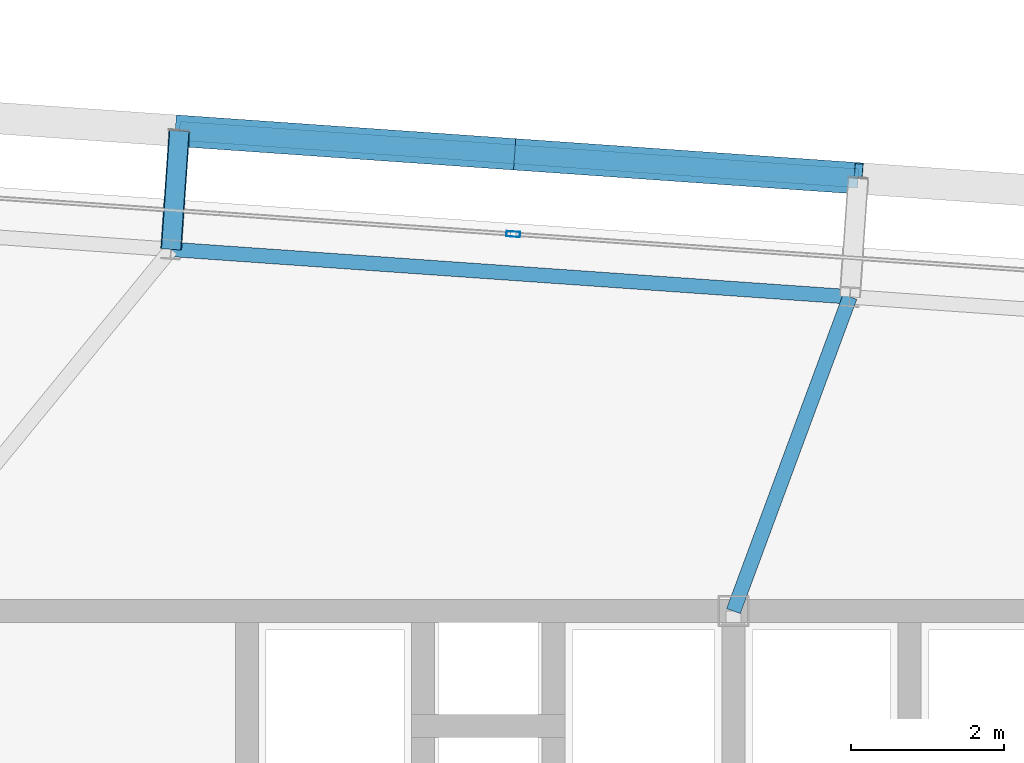
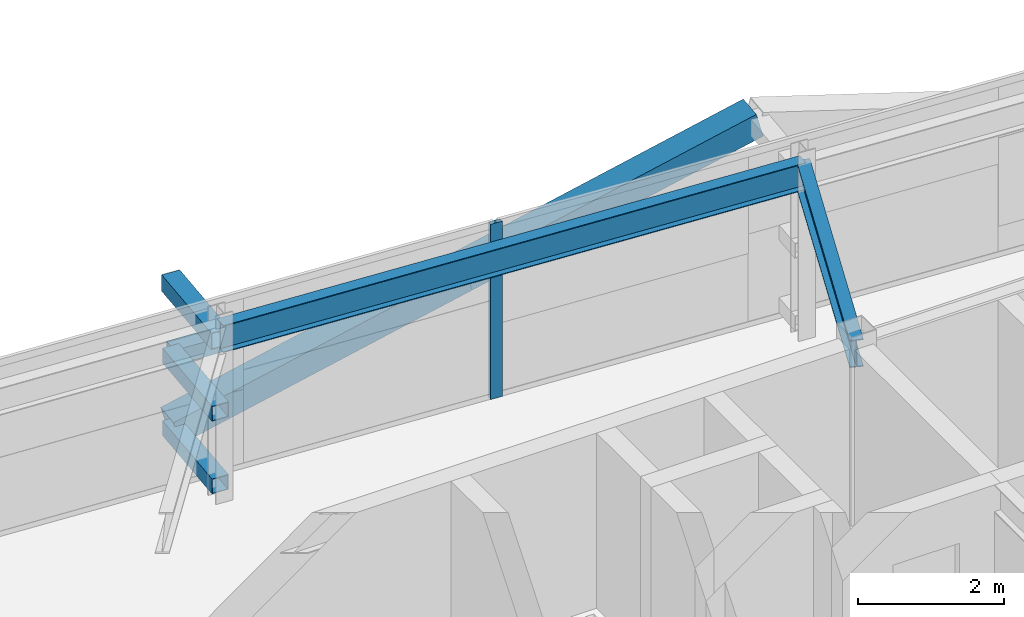
# One storey, part 22 of 39: 7 members, 2 beams, 1 element without a shape of its own.
"""IFC4 building model written with IfcOpenShell, lengths in metres."""

from ifc_helpers import new_model, si_unit, direction, frame, origin, origin_2d, place, context, subcontext, project, spatial, hollow_rectangle, i_section, extrude, source, transform, mapped, material, layer, layer_set, material_profile, profile_set, type_object, element, aggregate, save


model = new_model("IFC4")

# Units and contexts
model_context = context("Model", 3, precision=1e-05, world=origin(), true_north=direction((0.0, 1.0)))
body_context = subcontext(model_context, "Body", "Model", "MODEL_VIEW")
ifc_project = project(units=[si_unit("LENGTHUNIT", "METRE"), si_unit("AREAUNIT", "SQUARE_METRE"), si_unit("VOLUMEUNIT", "CUBIC_METRE"), si_unit("PLANEANGLEUNIT", "RADIAN"), si_unit("MASSUNIT", "GRAM", prefix="KILO")], contexts=[model_context])

# Site, building, storey
site_placement = place(None, origin())
site = spatial("IfcSite", under=ifc_project, at=site_placement, CompositionType="ELEMENT")
building_placement = place(site_placement, origin())
building = spatial("IfcBuilding", under=site, at=building_placement, Name="Taldren Reach Tower", CompositionType="ELEMENT")
storey_placement = place(building_placement, frame((0.0, 0.0, 126.699951171875)))
storey = spatial("IfcBuildingStorey", under=building, at=storey_placement, Name="L38", CompositionType="ELEMENT", Elevation=126.699951171875)

# Members
ifc_material_1 = material(Name="Steel Gr 450 (C450L0)", Category="steel")
ifc_material_profile_1 = material_profile(ifc_material_1, hollow_rectangle(XDim=0.27490234375, YDim=0.27490234375, WallThickness=0.00927734375, at=origin_2d()), Name="275x275x9.3SHS")
ifc_profile_set_1 = profile_set([ifc_material_profile_1], Name="Steel Gr 450 (C450L0)")
member_type_1 = type_object("IfcMemberType", Name="MB-TIE273", PredefinedType="STRUT", material=ifc_profile_set_1)
shared_shape_1 = source(origin(), body_context, "Body", "SweptSolid", [
    extrude(hollow_rectangle(XDim=0.27490234375, YDim=0.27490234375, WallThickness=0.00927734375, at=origin_2d()), origin(), (0.0, 0.0, 1.0), 1.5498046875),
])
member_1_placement = place(storey_placement, frame((31.861328125, 36.719970703125, 2.650146484375), z_axis=(0.069780535098, 0.997562367434, 0.0), x_axis=(-0.997562367434, 0.069780535098, 0.0)))
element("IfcMember", 1, at=member_1_placement, inside=storey, type_object=member_type_1, Name="Exoskeleton diaphragm tie strut B3-N3 L38", PredefinedType="STRUT", context=body_context, shape_type="MappedRepresentation", body=[
    mapped(shared_shape_1, transform((0.0, 0.0, 0.0), scale=1.0)),
])
ifc_material_2 = material(Name="Steel Gr 350 (C350L0)", Category="steel")
ifc_material_profile_2 = material_profile(ifc_material_2, hollow_rectangle(XDim=0.25, YDim=0.25, WallThickness=0.010009765625, at=origin_2d()), Name="250x250x10.0SHS")
ifc_profile_set_2 = profile_set([ifc_material_profile_2], Name="Steel Gr 350 (C350L0)")
member_type_2 = type_object("IfcMemberType", Name="MB-POST250", PredefinedType="POST", material=ifc_profile_set_2)
shared_shape_2 = source(origin(), body_context, "Body", "SweptSolid", [
    extrude(hollow_rectangle(XDim=0.25, YDim=0.25, WallThickness=0.010009765625, at=origin_2d()), origin(), (0.0, 0.0, 1.0), 1.5498046875),
])
for number, where, z_axis, x_axis, name in (
    (2, (31.861328125, 36.719970703125, 0.219970703125), (0.069780535098, 0.997562367434, 0.0), (-0.997562367434, 0.069780535098, 0.0), "Exoskeleton base diaphragm tie strut B3-N3 L38"),
    (3, (31.861328125, 36.719970703125, 1.43505859375), (0.069780535098, 0.997562367434, 0.0), (-0.997562367434, 0.069780535098, 0.0), "Exoskeleton mid-tier diaphragm tie B3-N3 L38"),
):
    element("IfcMember", number, at=place(storey_placement, frame(where, z_axis=z_axis, x_axis=x_axis)), inside=storey, type_object=member_type_2, Name=name, PredefinedType="POST", context=body_context, shape_type="MappedRepresentation", body=[
        mapped(shared_shape_2, transform((0.0, 0.0, 0.0), scale=1.0)),
    ])

# Beams
ifc_material_3 = material(Name="Steel Gr 350 (350PLUS)", Category="steel")
ifc_material_profile_3 = material_profile(ifc_material_3, i_section(OverallWidth=0.18994140625, OverallDepth=0.4541015625, WebThickness=0.008544921875, FlangeThickness=0.0126953125, at=origin_2d()), Name="460UB67.1")
ifc_profile_set_3 = profile_set([ifc_material_profile_3], Name="Steel Gr 350 (350PLUS)")
beam_type_1 = type_object("IfcBeamType", Name="SP-UB460B", PredefinedType="SPANDREL", material=ifc_profile_set_3)
shared_shape_3 = source(origin(), body_context, "Body", "SweptSolid", [
    extrude(i_section(OverallWidth=0.18994140625, OverallDepth=0.4541015625, WebThickness=0.008544921875, FlangeThickness=0.0126953125, at=origin_2d()), origin(), (0.0, 0.0, 1.0), 8.880126953125),
])
beam_1_placement = place(storey_placement, frame((40.7197265625, 36.100341796875, 2.703125), z_axis=(-0.997562566276, 0.06977769246, 0.0), x_axis=(-0.06977769246, -0.997562566276, 0.0)))
element("IfcBeam", 4, at=beam_1_placement, inside=storey, type_object=beam_type_1, Name="Perimeter spandrel B3 N4-N3 L38", PredefinedType="SPANDREL", context=body_context, shape_type="MappedRepresentation", body=[
    mapped(shared_shape_3, transform((0.0, 0.0, 0.0), scale=1.0)),
])
ifc_material_profile_4 = material_profile(ifc_material_3, i_section(OverallWidth=0.19091796875, OverallDepth=0.4599609375, WebThickness=0.010009765625, FlangeThickness=0.01611328125, at=origin_2d()), Name="460UB82.1")
ifc_profile_set_4 = profile_set([ifc_material_profile_4], Name="Steel Gr 350 (350PLUS)")
beam_type_2 = type_object("IfcBeamType", Name="BM-UB460A", PredefinedType="BEAM", material=ifc_profile_set_4)
shared_shape_4 = source(origin(), body_context, "Body", "SweptSolid", [
    extrude(i_section(OverallWidth=0.19091796875, OverallDepth=0.4599609375, WebThickness=0.010009765625, FlangeThickness=0.01611328125, at=origin_2d()), origin(), (0.0, 0.0, 1.0), 4.373046875),
])
beam_2_placement = place(storey_placement, frame((39.199951171875, 32.0, 2.699951171875), z_axis=(0.347541638975, 0.937664550454, 0.0), x_axis=(-0.937664550454, 0.347541638975, 0.0)))
element("IfcBeam", 5, at=beam_2_placement, inside=storey, type_object=beam_type_2, Name="Primary floor girder B3-N4 L38", PredefinedType="BEAM", context=body_context, shape_type="MappedRepresentation", body=[
    mapped(shared_shape_4, transform((0.0, 0.0, 0.0), scale=1.0)),
])

# Members
shared_shape_5 = source(origin(), body_context, "Body", "SweptSolid", [
    extrude(hollow_rectangle(XDim=0.25, YDim=0.25, WallThickness=0.010009765625, at=origin_2d()), origin(), (0.0, 0.0, 1.0), 8.880126953125),
])
member_2_placement = place(storey_placement, frame((31.969482421875, 38.26611328125, 1.43505859375), z_axis=(0.997564479639, -0.069750333063, 0.0), x_axis=(0.069750333063, 0.997564479639, 0.0)))
element("IfcMember", 6, at=member_2_placement, inside=storey, type_object=member_type_2, Name="Exoskeleton mid-height ring chord B3-N3 L38", PredefinedType="POST", context=body_context, shape_type="MappedRepresentation", body=[
    mapped(shared_shape_5, transform((0.0, 0.0, 0.0), scale=1.0)),
])
ifc_material_profile_5 = material_profile(ifc_material_1, hollow_rectangle(XDim=0.409912109375, YDim=0.409912109375, WallThickness=0.01611328125, at=origin_2d()), Name="410x410x16.0SHS")
ifc_profile_set_5 = profile_set([ifc_material_profile_5], Name="Steel Gr 450 (C450L0)")
member_type_3 = type_object("IfcMemberType", Name="MB-EXO406", PredefinedType="BRACE", material=ifc_profile_set_5)
shared_shape_6 = source(origin(), body_context, "Body", "SweptSolid", [
    extrude(hollow_rectangle(XDim=0.409912109375, YDim=0.409912109375, WallThickness=0.01611328125, at=origin_2d()), origin(), (0.0, 0.0, 1.0), 4.603271484375),
])
for number, where, z_axis, x_axis, name in (
    (7, (31.969482421875, 38.26611328125, 0.219970703125), (0.962182351074, -0.067302910567, 0.263961060594), (0.06977769246, 0.997562566276, 0.0), "Exoskeleton Diagrid Brace B3-N3 L38"),
    (8, (36.398681640625, 37.956298828125, 1.43505859375), (0.962185784239, -0.067250114343, 0.263962002434), (0.069722973508, 0.997566392259, 0.0), "Exoskeleton Diagrid Brace B3-N3 L38"),
):
    element("IfcMember", number, at=place(storey_placement, frame(where, z_axis=z_axis, x_axis=x_axis)), inside=storey, type_object=member_type_3, Name=name, PredefinedType="BRACE", context=body_context, shape_type="MappedRepresentation", body=[
        mapped(shared_shape_6, transform((0.0, 0.0, 0.0), scale=1.0)),
    ])

# Curtain wall, member
ifc_material_4 = material(Name="Aluminium and Low-E Glass Unitised System", Category="aluminium")
ifc_layer = layer(ifc_material_4, 0.159912109375)
ifc_layer_set = layer_set([ifc_layer], Name="Aluminium and Low-E Glass Unitised System")
curtain_wall_type = type_object("IfcCurtainWallType", Name="CW-SYS-4", PredefinedType="NOTDEFINED", material=ifc_layer_set)
curtain_wall_placement = place(storey_placement, origin())
curtain_wall = element("IfcCurtainWall", 9, at=curtain_wall_placement, inside=storey, type_object=curtain_wall_type, Name="Unitised curtain wall CW-L38-N", PredefinedType="NOTDEFINED")
ifc_material_5 = material(Name="Anodised Aluminium 6063-T6", Category="aluminium")
ifc_material_profile_6 = material_profile(ifc_material_5, hollow_rectangle(XDim=0.070068359375, YDim=0.179931640625, WallThickness=0.00390625, at=origin_2d()), Name="ALU-180x70x4RHS")
ifc_profile_set_6 = profile_set([ifc_material_profile_6], Name="Anodised Aluminium 6063-T6")
member_type_4 = type_object("IfcMemberType", Name="CW-MUL-180", PredefinedType="MULLION", material=ifc_profile_set_6)
shared_shape_7 = source(origin(), body_context, "Body", "SweptSolid", [
    extrude(hollow_rectangle(XDim=0.070068359375, YDim=0.179931640625, WallThickness=0.00390625, at=origin_2d()), origin(), (0.0, 0.0, 1.0), 2.929931640625),
])
member_3_placement = place(storey_placement, frame((36.326171875, 36.9189453125, 0.0), z_axis=(0.0, 0.0, 1.0), x_axis=(-0.06975651593, -0.99756404731, 0.0)))
member_3 = element("IfcMember", 10, at=member_3_placement, type_object=member_type_4, Name="CW-4 mullion 3", PredefinedType="MULLION", context=body_context, shape_type="MappedRepresentation", body=[
    mapped(shared_shape_7, transform((0.0, 0.0, 0.0), scale=1.0)),
])
aggregate(curtain_wall, [member_3])

save(model, "model.ifc")
